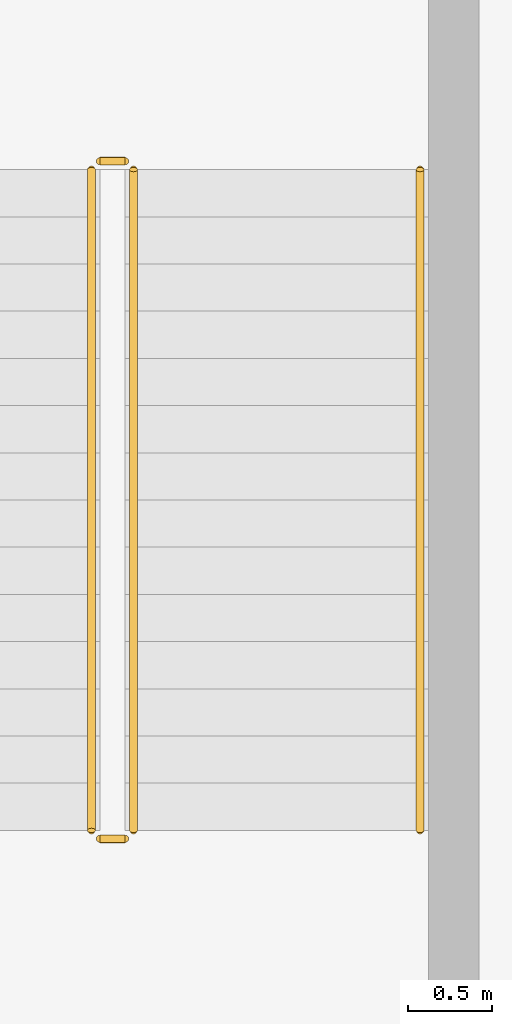
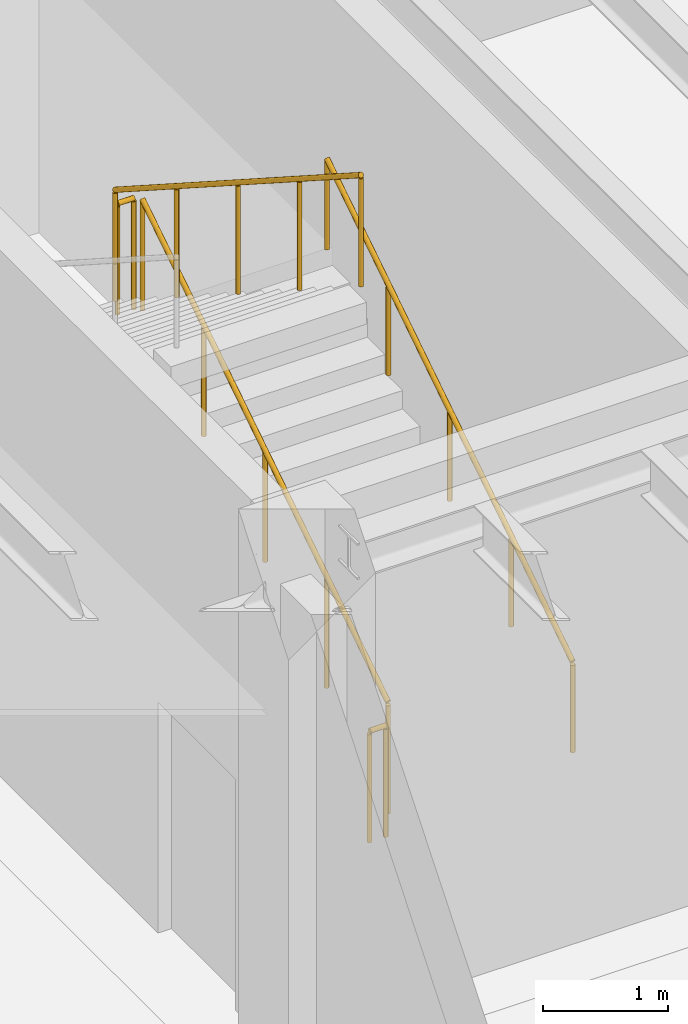
# One storey, part 63 of 67: 5 railings.
"""IFC4 building model written with IfcOpenShell, lengths in metres."""

from ifc_helpers import new_model, si_unit, direction, frame, origin, origin_2d, place, context, subcontext, project, spatial, circle, extrude, material, type_object, element, save


model = new_model("IFC4")

# Units and contexts
model_context = context("Model", 3, precision=1e-05, world=origin(), true_north=direction((0.0, 1.0)))
body_context = subcontext(model_context, "Body", "Model", "MODEL_VIEW")
ifc_project = project(units=[si_unit("LENGTHUNIT", "METRE"), si_unit("AREAUNIT", "SQUARE_METRE"), si_unit("VOLUMEUNIT", "CUBIC_METRE"), si_unit("PLANEANGLEUNIT", "RADIAN"), si_unit("MASSUNIT", "GRAM", prefix="KILO")], contexts=[model_context])

# Site, building, storey
site_placement = place(None, origin())
site = spatial("IfcSite", under=ifc_project, at=site_placement, CompositionType="ELEMENT")
building_placement = place(site_placement, origin())
building = spatial("IfcBuilding", under=site, at=building_placement, Name="Zlatogorsky Bluff Art Gallery", CompositionType="ELEMENT")
storey_placement = place(building_placement, frame((0.0, 0.0, -5.39990234375)))
storey = spatial("IfcBuildingStorey", under=building, at=storey_placement, Name="B1", CompositionType="ELEMENT", Elevation=-5.39990234375)

# Railings
ifc_material_1 = material(Name="Architectural Bronze and Laminated Glass", Category="glass")
railing_type_1 = type_object("IfcRailingType", Name="Gallery Guard Rail 1100mm", PredefinedType="GUARDRAIL", material=ifc_material_1)
railing_1_placement = place(storey_placement, frame((158.25, 41.0, 0.179931640625)))
element("IfcRailing", 1, at=railing_1_placement, inside=storey, type_object=railing_type_1, Name="B1 ST-10 stair guard 1", PredefinedType="GUARDRAIL", context=body_context, shape_type="SweptSolid", body=[
    extrude(circle(Radius=0.02392578125, at=origin_2d()), frame((0.0, 0.0, 1.076171875), z_axis=(0.0, 0.841171666519, 0.540768182723), x_axis=(-1.0, 0.0, 0.0)), (0.0, 0.0, 1.0), 4.66015625),
    extrude(circle(Radius=0.02099609375, at=origin_2d()), origin(), (0.0, 0.0, 1.0), 1.052001953125),
    extrude(circle(Radius=0.02099609375, at=origin_2d()), frame((0.0, 0.97998046875, 0.6298828125)), (0.0, 0.0, 1.0), 1.052001953125),
    extrude(circle(Radius=0.02099609375, at=origin_2d()), frame((0.0, 1.9599609375, 1.260009765625)), (0.0, 0.0, 1.0), 1.052001953125),
    extrude(circle(Radius=0.02099609375, at=origin_2d()), frame((0.0, 2.93994140625, 1.89013671875)), (0.0, 0.0, 1.0), 1.052001953125),
    extrude(circle(Radius=0.02099609375, at=origin_2d()), frame((0.0, 3.919921875, 2.52001953125)), (0.0, 0.0, 1.0), 1.052001953125),
])
railing_2_placement = place(storey_placement, frame((158.199951171875, 44.969970703125, 2.699951171875)))
element("IfcRailing", 2, at=railing_2_placement, inside=storey, type_object=railing_type_1, Name="B1 ST-10 stair guard 2", PredefinedType="GUARDRAIL", context=body_context, shape_type="SweptSolid", body=[
    extrude(circle(Radius=0.02392578125, at=origin_2d()), frame((0.0, 0.0, 1.076171875), z_axis=(-1.0, 0.0, 0.0), x_axis=(0.0, -1.0, 0.0)), (0.0, 0.0, 1.0), 0.14990234375),
    extrude(circle(Radius=0.02099609375, at=origin_2d()), origin(), (0.0, 0.0, 1.0), 1.052001953125),
    extrude(circle(Radius=0.02099609375, at=origin_2d()), frame((-0.14990234375, 0.0, 0.0)), (0.0, 0.0, 1.0), 1.052001953125),
])
railing_3_placement = place(storey_placement, frame((158.0, 44.919921875, 2.8798828125)))
element("IfcRailing", 3, at=railing_3_placement, inside=storey, type_object=railing_type_1, Name="B1 ST-10 stair guard 3", PredefinedType="GUARDRAIL", context=body_context, shape_type="SweptSolid", body=[
    extrude(circle(Radius=0.02392578125, at=origin_2d()), frame((0.0, 0.0, 1.076171875), z_axis=(0.0, -0.841171666519, 0.540768182723), x_axis=(1.0, 0.0, 0.0)), (0.0, 0.0, 1.0), 4.66015625),
    extrude(circle(Radius=0.02099609375, at=origin_2d()), origin(), (0.0, 0.0, 1.0), 1.052001953125),
    extrude(circle(Radius=0.02099609375, at=origin_2d()), frame((0.0, -0.97998046875, 0.6298828125)), (0.0, 0.0, 1.0), 1.052001953125),
    extrude(circle(Radius=0.02099609375, at=origin_2d()), frame((0.0, -1.9599609375, 1.260009765625)), (0.0, 0.0, 1.0), 1.052001953125),
    extrude(circle(Radius=0.02099609375, at=origin_2d()), frame((0.0, -2.93994140625, 1.89013671875)), (0.0, 0.0, 1.0), 1.052001953125),
    extrude(circle(Radius=0.02099609375, at=origin_2d()), frame((0.0, -3.919921875, 2.52001953125)), (0.0, 0.0, 1.0), 1.052001953125),
])
railing_4_placement = place(storey_placement, frame((158.199951171875, 40.949951171875, 0.0)))
element("IfcRailing", 4, at=railing_4_placement, inside=storey, type_object=railing_type_1, Name="B1 ST-10 stair guard 4", PredefinedType="GUARDRAIL", context=body_context, shape_type="SweptSolid", body=[
    extrude(circle(Radius=0.02392578125, at=origin_2d()), frame((0.0, 0.0, 1.076171875), z_axis=(-1.0, 0.0, 0.0), x_axis=(0.0, -1.0, 0.0)), (0.0, 0.0, 1.0), 0.14990234375),
    extrude(circle(Radius=0.02099609375, at=origin_2d()), origin(), (0.0, 0.0, 1.0), 1.052001953125),
    extrude(circle(Radius=0.02099609375, at=origin_2d()), frame((-0.14990234375, 0.0, 0.0)), (0.0, 0.0, 1.0), 1.052001953125),
])
ifc_material_2 = material(Name="Brushed Stainless Steel", Category="steel")
railing_type_2 = type_object("IfcRailingType", Name="Stair Pitch Handrail 900mm", PredefinedType="HANDRAIL", material=ifc_material_2)
railing_5_placement = place(storey_placement, frame((159.949951171875, 41.0, 0.179931640625)))
element("IfcRailing", 5, at=railing_5_placement, inside=storey, type_object=railing_type_2, Name="B1 ST-10 stair handrail 1", PredefinedType="HANDRAIL", context=body_context, shape_type="SweptSolid", body=[
    extrude(circle(Radius=0.02392578125, at=origin_2d()), frame((0.0, 0.0, 0.8759765625), z_axis=(0.0, 0.841171666519, 0.540768182723), x_axis=(-1.0, 0.0, 0.0)), (0.0, 0.0, 1.0), 4.66015625),
    extrude(circle(Radius=0.02099609375, at=origin_2d()), origin(), (0.0, 0.0, 1.0), 0.851806640625),
    extrude(circle(Radius=0.02099609375, at=origin_2d()), frame((0.0, 0.97998046875, 0.6298828125)), (0.0, 0.0, 1.0), 0.851806640625),
    extrude(circle(Radius=0.02099609375, at=origin_2d()), frame((0.0, 1.9599609375, 1.260009765625)), (0.0, 0.0, 1.0), 0.851806640625),
    extrude(circle(Radius=0.02099609375, at=origin_2d()), frame((0.0, 2.93994140625, 1.89013671875)), (0.0, 0.0, 1.0), 0.851806640625),
    extrude(circle(Radius=0.02099609375, at=origin_2d()), frame((0.0, 3.919921875, 2.52001953125)), (0.0, 0.0, 1.0), 0.851806640625),
])

save(model, "model.ifc")
